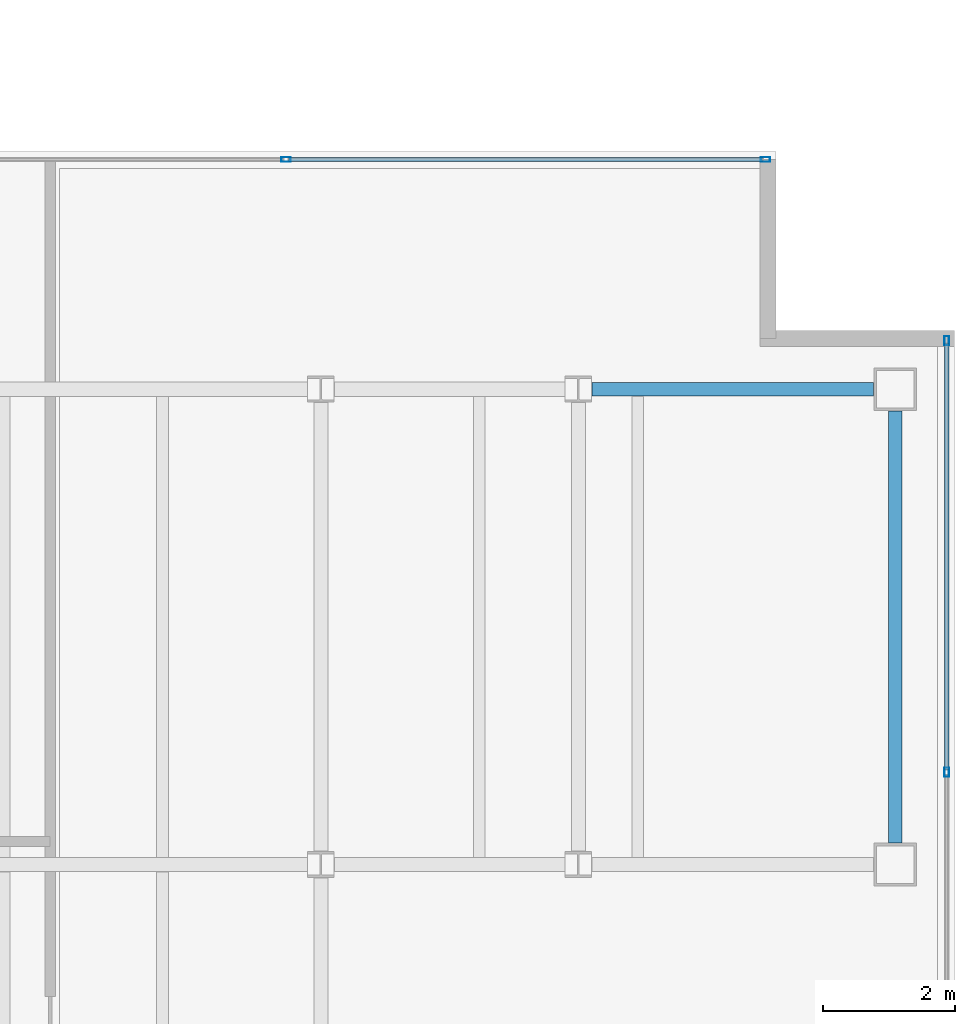
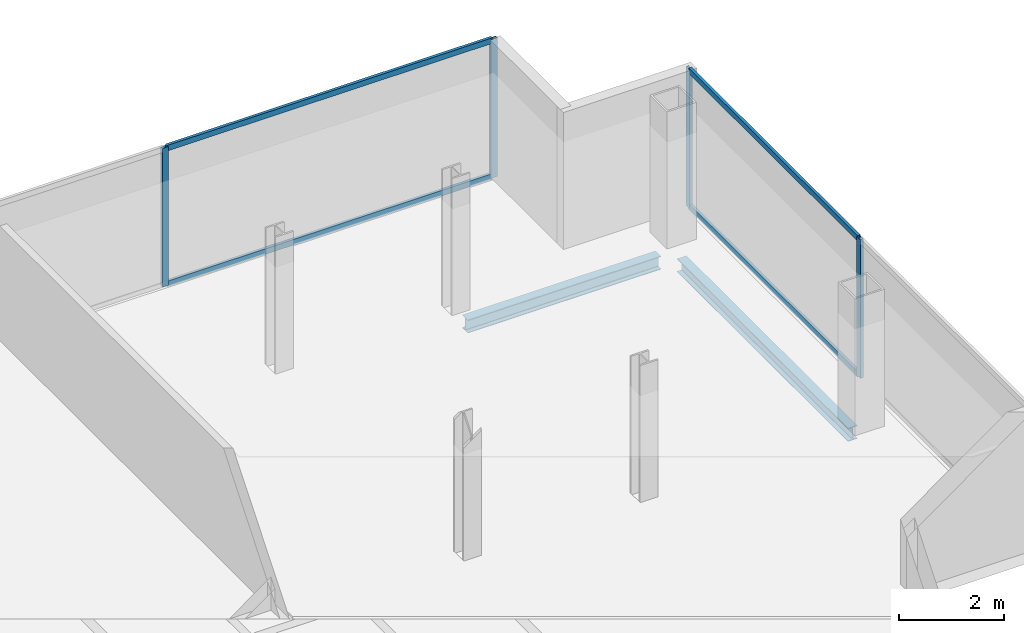
# One storey, part 16 of 23: 8 members, 2 beams, 2 elements without a shape of their own.
"""IFC4 building model written with IfcOpenShell, lengths in metres."""

from ifc_helpers import new_model, si_unit, direction, frame, origin, origin_2d, place, context, subcontext, project, spatial, hollow_rectangle, i_section, extrude, material, material_profile, profile_set, type_object, element, aggregate, save


model = new_model("IFC4")

# Units and contexts
model_context = context("Model", 3, precision=1e-05, world=origin(), true_north=direction((0.0, 1.0)))
body_context = subcontext(model_context, "Body", "Model", "MODEL_VIEW")
ifc_project = project(units=[si_unit("LENGTHUNIT", "METRE"), si_unit("AREAUNIT", "SQUARE_METRE"), si_unit("VOLUMEUNIT", "CUBIC_METRE"), si_unit("PLANEANGLEUNIT", "RADIAN"), si_unit("MASSUNIT", "GRAM", prefix="KILO")], contexts=[model_context])

# Site, building, storey
site_placement = place(None, origin())
site = spatial("IfcSite", under=ifc_project, at=site_placement, CompositionType="ELEMENT")
building_placement = place(site_placement, origin())
building = spatial("IfcBuilding", under=site, at=building_placement, Name="Cobrela Telecom Tower", CompositionType="ELEMENT")
storey_placement = place(building_placement, frame((0.0, 0.0, 286.64990234375)))
storey = spatial("IfcBuildingStorey", under=building, at=storey_placement, Name="L75", CompositionType="ELEMENT", Elevation=286.64990234375)

# Beams
ifc_material_1 = material(Name="Steel ASTM A992 Grade 50", Category="steel")
ifc_material_profile_1 = material_profile(ifc_material_1, i_section(OverallWidth=0.205078125, OverallDepth=0.31005859375, WebThickness=0.009521484375, FlangeThickness=0.016357421875, FilletRadius=0.010986328125, at=origin_2d()), Name="W12X50")
ifc_profile_set_1 = profile_set([ifc_material_profile_1], Name="Steel ASTM A992 Grade 50")
beam_type = type_object("IfcBeamType", Name="BM-SPAND-07", PredefinedType="SPANDREL", material=ifc_profile_set_1)
beam_1_placement = place(storey_placement, frame((40.1044921875, 21.60009765625, -0.414794921875), z_axis=(1.0, 0.0, 0.0), x_axis=(0.0, 1.0, 0.0)))
element("IfcBeam", 1, at=beam_1_placement, inside=storey, type_object=beam_type, Name="L75 Perimeter Spandrel X14", PredefinedType="SPANDREL", context=body_context, shape_type="SweptSolid", body=[
    extrude(i_section(OverallWidth=0.205078125, OverallDepth=0.31005859375, WebThickness=0.009521484375, FlangeThickness=0.016357421875, FilletRadius=0.010986328125, at=origin_2d()), origin(), (0.0, 0.0, 1.0), 4.265625),
])
beam_2_placement = place(storey_placement, frame((44.699951171875, 14.72998046875, -0.414794921875), z_axis=(0.0, 1.0, 0.0), x_axis=(-1.0, 0.0, 0.0)))
element("IfcBeam", 2, at=beam_2_placement, inside=storey, type_object=beam_type, Name="L75 Perimeter Spandrel Y34", PredefinedType="SPANDREL", context=body_context, shape_type="SweptSolid", body=[
    extrude(i_section(OverallWidth=0.205078125, OverallDepth=0.31005859375, WebThickness=0.009521484375, FlangeThickness=0.016357421875, FilletRadius=0.010986328125, at=origin_2d()), origin(), (0.0, 0.0, 1.0), 6.5400390625),
])

# Curtain wall, members
ifc_material_2 = material(Name="Anodized Bronze Aluminium 6063-T6", Category="aluminium")
curtain_wall_type = type_object("IfcCurtainWallType", Name="CW-SYS-OFF-HI", PredefinedType="USERDEFINED", material=ifc_material_2)
curtain_wall_1_placement = place(storey_placement, origin())
curtain_wall_1 = element("IfcCurtainWall", 3, at=curtain_wall_1_placement, inside=storey, type_object=curtain_wall_type, Name="L75 Unitised Bronze Curtain Wall 09", ObjectType="UNITISED CURTAIN WALL", PredefinedType="USERDEFINED")
ifc_material_profile_2 = material_profile(ifc_material_2, hollow_rectangle(XDim=0.070068359375, YDim=0.139892578125, WallThickness=0.00390625, at=origin_2d()), Name="ALU 70x140x4")
ifc_profile_set_2 = profile_set([ifc_material_profile_2], Name="Anodized Bronze Aluminium 6063-T6")
member_type_1 = type_object("IfcMemberType", Name="CW-SYS-OFF-HI-MUL", PredefinedType="MULLION", material=ifc_profile_set_2)
member_1_placement = place(storey_placement, frame((35.473388671875, 25.080078125, 0.0), z_axis=(0.0, 0.0, 1.0), x_axis=(0.0, 1.0, 0.0)))
member_1 = element("IfcMember", 4, at=member_1_placement, type_object=member_type_1, Name="CW-OFF-HI mullion 3", PredefinedType="MULLION", context=body_context, shape_type="SweptSolid", body=[
    extrude(hollow_rectangle(XDim=0.070068359375, YDim=0.139892578125, WallThickness=0.00390625, at=origin_2d()), origin(), (0.0, 0.0, 1.0), 3.239990234375),
])
member_2_placement = place(storey_placement, frame((42.735107421875, 25.080078125, 0.0), z_axis=(0.0, 0.0, 1.0), x_axis=(0.0, 1.0, 0.0)))
member_2 = element("IfcMember", 5, at=member_2_placement, type_object=member_type_1, Name="CW-OFF-HI mullion 4", PredefinedType="MULLION", context=body_context, shape_type="SweptSolid", body=[
    extrude(hollow_rectangle(XDim=0.070068359375, YDim=0.139892578125, WallThickness=0.00390625, at=origin_2d()), origin(), (0.0, 0.0, 1.0), 3.239990234375),
])

curtain_wall_2_placement = place(storey_placement, origin())
curtain_wall_2 = element("IfcCurtainWall", 6, at=curtain_wall_2_placement, inside=storey, type_object=curtain_wall_type, Name="L75 Unitised Bronze Curtain Wall 12", ObjectType="UNITISED CURTAIN WALL", PredefinedType="USERDEFINED")
member_3_placement = place(storey_placement, frame((45.47998046875, 22.3349609375, 0.0), z_axis=(0.0, 0.0, 1.0), x_axis=(1.0, 0.0, 0.0)))
member_3 = element("IfcMember", 7, at=member_3_placement, type_object=member_type_1, Name="CW-OFF-HI mullion 1", PredefinedType="MULLION", context=body_context, shape_type="SweptSolid", body=[
    extrude(hollow_rectangle(XDim=0.070068359375, YDim=0.139892578125, WallThickness=0.00390625, at=origin_2d()), origin(), (0.0, 0.0, 1.0), 3.239990234375),
])
member_4_placement = place(storey_placement, frame((45.47998046875, 15.800048828125, 0.0), z_axis=(0.0, 0.0, 1.0), x_axis=(1.0, 0.0, 0.0)))
member_4 = element("IfcMember", 8, at=member_4_placement, type_object=member_type_1, Name="CW-OFF-HI mullion 2", PredefinedType="MULLION", context=body_context, shape_type="SweptSolid", body=[
    extrude(hollow_rectangle(XDim=0.070068359375, YDim=0.139892578125, WallThickness=0.00390625, at=origin_2d()), origin(), (0.0, 0.0, 1.0), 3.239990234375),
])

# Member
ifc_material_profile_3 = material_profile(ifc_material_2, hollow_rectangle(XDim=0.06494140625, YDim=0.1298828125, WallThickness=0.00390625, at=origin_2d()), Name="ALU 65x130x4")
ifc_profile_set_3 = profile_set([ifc_material_profile_3], Name="Anodized Bronze Aluminium 6063-T6")
member_type_2 = type_object("IfcMemberType", Name="CW-SYS-OFF-HI-TRN", PredefinedType="USERDEFINED", material=ifc_profile_set_3)
member_5_placement = place(storey_placement, frame((35.50830078125, 25.080078125, 0.03271484375), z_axis=(1.0, 0.0, 0.0), x_axis=(0.0, 1.0, 0.0)))
member_5 = element("IfcMember", 9, at=member_5_placement, type_object=member_type_2, Name="CW-OFF-HI transom 3.1", ObjectType="TRANSOM", PredefinedType="USERDEFINED", context=body_context, shape_type="SweptSolid", body=[
    extrude(hollow_rectangle(XDim=0.06494140625, YDim=0.1298828125, WallThickness=0.00390625, at=origin_2d()), origin(), (0.0, 0.0, 1.0), 7.191650390625),
])

member_6_placement = place(storey_placement, frame((35.50830078125, 25.080078125, 3.20751953125), z_axis=(1.0, 0.0, 0.0), x_axis=(0.0, 1.0, 0.0)))
member_6 = element("IfcMember", 10, at=member_6_placement, type_object=member_type_2, Name="CW-OFF-HI transom 3.2", ObjectType="TRANSOM", PredefinedType="USERDEFINED", context=body_context, shape_type="SweptSolid", body=[
    extrude(hollow_rectangle(XDim=0.06494140625, YDim=0.1298828125, WallThickness=0.00390625, at=origin_2d()), origin(), (0.0, 0.0, 1.0), 7.191650390625),
])

aggregate(curtain_wall_1, [member_1, member_2, member_5, member_6])

member_7_placement = place(storey_placement, frame((45.47998046875, 22.300048828125, 0.03271484375), z_axis=(0.0, -1.0, 0.0), x_axis=(1.0, 0.0, 0.0)))
member_7 = element("IfcMember", 11, at=member_7_placement, type_object=member_type_2, Name="CW-OFF-HI transom 1.1", ObjectType="TRANSOM", PredefinedType="USERDEFINED", context=body_context, shape_type="SweptSolid", body=[
    extrude(hollow_rectangle(XDim=0.06494140625, YDim=0.1298828125, WallThickness=0.00390625, at=origin_2d()), origin(), (0.0, 0.0, 1.0), 6.465087890625),
])

member_8_placement = place(storey_placement, frame((45.47998046875, 22.300048828125, 3.20751953125), z_axis=(0.0, -1.0, 0.0), x_axis=(1.0, 0.0, 0.0)))
member_8 = element("IfcMember", 12, at=member_8_placement, type_object=member_type_2, Name="CW-OFF-HI transom 1.2", ObjectType="TRANSOM", PredefinedType="USERDEFINED", context=body_context, shape_type="SweptSolid", body=[
    extrude(hollow_rectangle(XDim=0.06494140625, YDim=0.1298828125, WallThickness=0.00390625, at=origin_2d()), origin(), (0.0, 0.0, 1.0), 6.465087890625),
])

aggregate(curtain_wall_2, [member_3, member_4, member_7, member_8])

save(model, "model.ifc")
